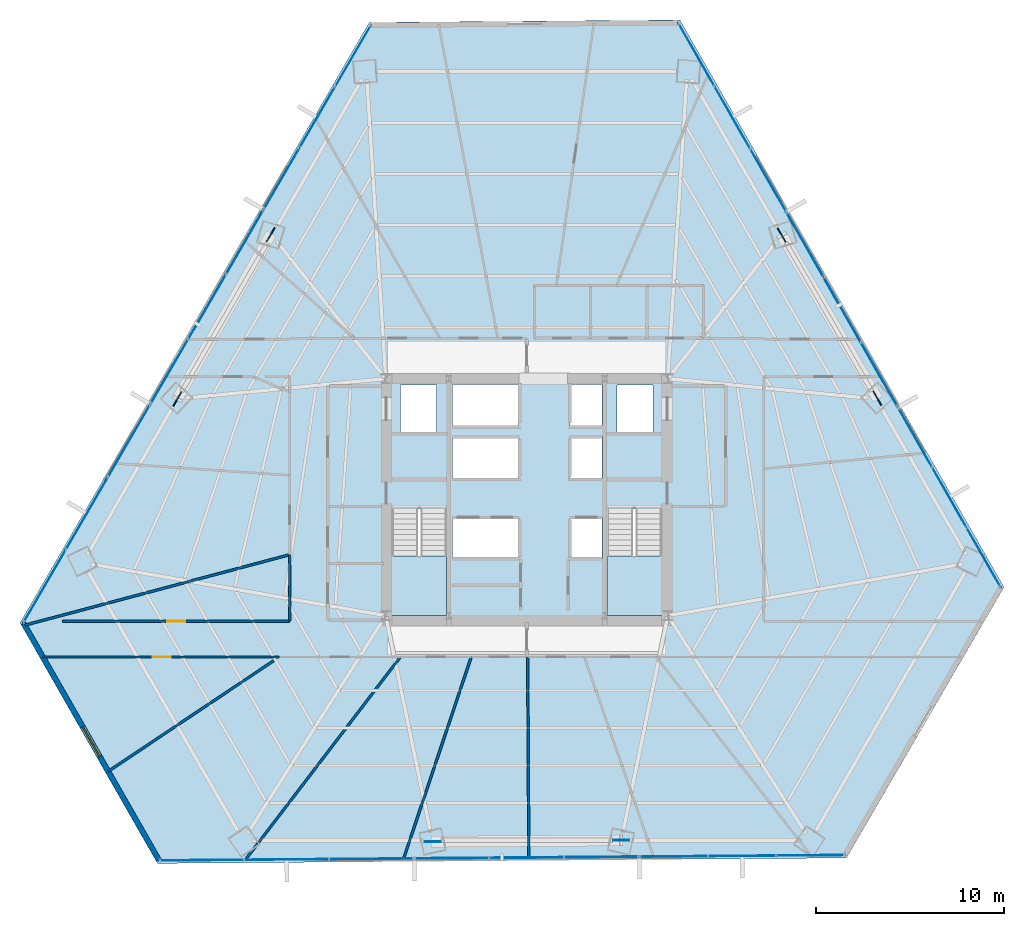
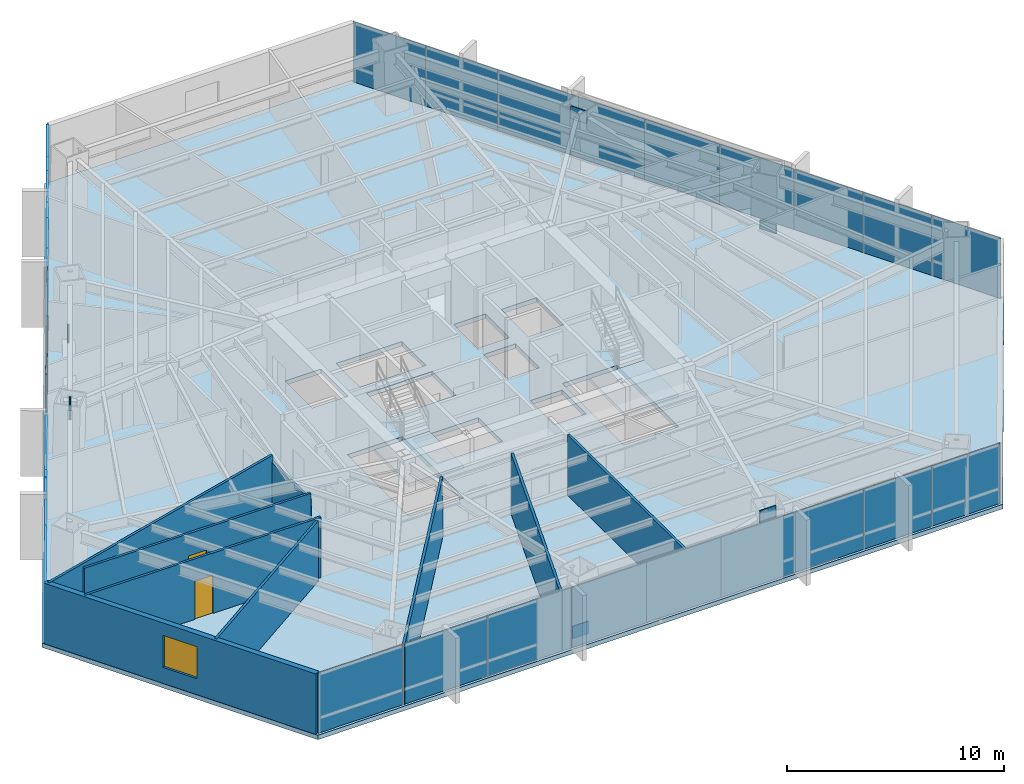
# One storey, part 28 of 34: 33 plates, 9 walls, 3 slabs, 2 doors, 1 window, 3 openings, 11 elements without a shape of their own.
"""IFC4 building model written with IfcOpenShell, lengths in metres."""

from ifc_helpers import new_model, si_unit, direction, frame, frame_2d, origin, origin_2d, place, context, subcontext, project, spatial, polyline, rectangle, outline, extrude, source, transform, mapped, material, layer, layer_set, type_object, type_shapes, element, fill, aggregate, save


model = new_model("IFC4")

# Units and contexts
model_context = context("Model", 3, precision=1e-05, world=origin(), true_north=direction((0.0, 1.0)))
body_context = subcontext(model_context, "Body", "Model", "MODEL_VIEW")
ifc_project = project(units=[si_unit("LENGTHUNIT", "METRE"), si_unit("AREAUNIT", "SQUARE_METRE"), si_unit("VOLUMEUNIT", "CUBIC_METRE"), si_unit("PLANEANGLEUNIT", "RADIAN"), si_unit("MASSUNIT", "GRAM", prefix="KILO")], contexts=[model_context])

# Site, building, storey
site_placement = place(None, origin())
site = spatial("IfcSite", under=ifc_project, at=site_placement, CompositionType="ELEMENT")
building_placement = place(site_placement, origin())
building = spatial("IfcBuilding", under=site, at=building_placement, Name="Caelisora Broadcast Tower", CompositionType="ELEMENT")
storey_placement = place(building_placement, frame((0.0, 0.0, 56.800048828125)))
storey = spatial("IfcBuildingStorey", under=building, at=storey_placement, Name="L14", CompositionType="ELEMENT", Elevation=56.800048828125)

# Slab
ifc_material_1 = material(Name="Concrete 40 MPa (AS 3600 N40)", Category="concrete")
ifc_layer_1 = layer(ifc_material_1, 0.25, Name="Concrete 40 MPa (AS 3600 N40)")
ifc_layer_set_1 = layer_set([ifc_layer_1], Name="Concrete 40 MPa (AS 3600 N40)")
slab_type_1 = type_object("IfcSlabType", Name="SL04", PredefinedType="FLOOR", material=ifc_layer_set_1)
slab_1_placement = place(storey_placement, frame((0.0, 0.0, -0.25)))
element("IfcSlab", 1, at=slab_1_placement, inside=storey, type_object=slab_type_1, Name="L14 suspended floor SL04", PredefinedType="FLOOR", context=body_context, shape_type="SweptSolid", body=[
    extrude(outline(polyline([(46.14599609375, 49.069091796875), (29.626953125, 48.93798828125), (11.055908203125, 17.01806640625), (18.364013671875, 4.22509765625), (55.0029296875, 4.51611328125), (63.375, 18.906982421875), (46.14599609375, 49.069091796875)]), holes=[polyline([(30.820068359375, 17.39990234375), (33.739990234375, 17.39990234375), (33.739990234375, 23.080078125), (30.820068359375, 23.080078125), (30.820068359375, 17.39990234375)]), polyline([(42.260009765625, 17.39990234375), (45.179931640625, 17.39990234375), (45.179931640625, 23.080078125), (42.260009765625, 23.080078125), (42.260009765625, 17.39990234375)]), polyline([(42.800048828125, 27.14990234375), (44.699951171875, 27.14990234375), (44.699951171875, 29.64990234375), (42.800048828125, 29.64990234375), (42.800048828125, 27.14990234375)]), polyline([(40.300048828125, 20.429931640625), (42.0, 20.429931640625), (42.0, 22.6298828125), (40.300048828125, 22.6298828125), (40.300048828125, 20.429931640625)]), polyline([(40.300048828125, 24.719970703125), (42.0, 24.719970703125), (42.0, 26.919921875), (40.300048828125, 26.919921875), (40.300048828125, 24.719970703125)]), polyline([(40.300048828125, 27.5), (42.0, 27.5), (42.0, 29.699951171875), (40.300048828125, 29.699951171875), (40.300048828125, 27.5)]), polyline([(34.050048828125, 20.429931640625), (37.550048828125, 20.429931640625), (37.550048828125, 22.6298828125), (34.050048828125, 22.6298828125), (34.050048828125, 20.429931640625)]), polyline([(34.050048828125, 24.719970703125), (37.550048828125, 24.719970703125), (37.550048828125, 26.919921875), (34.050048828125, 26.919921875), (34.050048828125, 24.719970703125)]), polyline([(34.050048828125, 27.5), (37.550048828125, 27.5), (37.550048828125, 29.699951171875), (34.050048828125, 29.699951171875), (34.050048828125, 27.5)]), polyline([(31.300048828125, 27.14990234375), (33.199951171875, 27.14990234375), (33.199951171875, 29.64990234375), (31.300048828125, 29.64990234375), (31.300048828125, 27.14990234375)])]), origin(), (0.0, 0.0, 1.0), 0.25),
])

# Stair, slab
stair_type_1 = type_object("IfcStairType", Name="ST-1", PredefinedType="HALF_TURN_STAIR", material=ifc_material_1)
stair_1_placement = place(storey_placement, origin())
stair_1 = element("IfcStair", 2, at=stair_1_placement, inside=storey, type_object=stair_type_1, Name="L14 West Fire-Isolated Tower Stair", PredefinedType="HALF_TURN_STAIR")
ifc_layer_2 = layer(ifc_material_1, 0.199951171875, Name="Concrete 40 MPa (AS 3600 N40)")
ifc_layer_set_2 = layer_set([ifc_layer_2], Name="Concrete 40 MPa (AS 3600 N40)")
slab_type_2 = type_object("IfcSlabType", Name="STL-1", PredefinedType="LANDING", material=ifc_layer_set_2)
slab_2_placement = place(storey_placement, frame((0.0, 0.0, 1.625)))
slab_2 = element("IfcSlab", 3, at=slab_2_placement, type_object=slab_type_2, Name="ST-1 landing 1", PredefinedType="LANDING", context=body_context, shape_type="SweptSolid", body=[
    extrude(outline(polyline([(30.820068359375, 20.580078125), (30.820068359375, 17.39990234375), (33.739990234375, 17.39990234375), (33.739990234375, 20.580078125), (30.820068359375, 20.580078125)])), origin(), (0.0, 0.0, 1.0), 0.199951171875),
])
aggregate(stair_1, [slab_2])

stair_type_2 = type_object("IfcStairType", Name="ST-2", PredefinedType="HALF_TURN_STAIR", material=ifc_material_1)
stair_2_placement = place(storey_placement, origin())
stair_2 = element("IfcStair", 4, at=stair_2_placement, inside=storey, type_object=stair_type_2, Name="L14 East Fire-Isolated Tower Stair", PredefinedType="HALF_TURN_STAIR")
slab_3_placement = place(storey_placement, frame((0.0, 0.0, 1.625)))
slab_3 = element("IfcSlab", 5, at=slab_3_placement, type_object=slab_type_2, Name="ST-2 landing 1", PredefinedType="LANDING", context=body_context, shape_type="SweptSolid", body=[
    extrude(outline(polyline([(42.260009765625, 20.580078125), (42.260009765625, 17.39990234375), (45.179931640625, 17.39990234375), (45.179931640625, 20.580078125), (42.260009765625, 20.580078125)])), origin(), (0.0, 0.0, 1.0), 0.199951171875),
])
aggregate(stair_2, [slab_3])

# Plates
ifc_material_2 = material(Name="Steel Grade 350 L15 (AS/NZS 3678)", Category="steel")
ifc_layer_3 = layer(ifc_material_2, 0.050048828125, Name="Steel Grade 350 L15 (AS/NZS 3678)")
ifc_layer_set_3 = layer_set([ifc_layer_3], Name="Steel Grade 350 L15 (AS/NZS 3678)")
plate_type_1 = type_object("IfcPlateType", Name="GP03", PredefinedType="USERDEFINED", material=ifc_layer_set_3)
shared_shape_1 = source(origin(), body_context, "Body", "SweptSolid", [
    extrude(rectangle(XDim=0.85009765625, YDim=0.050048828125, at=origin_2d()), origin(), (0.0, 0.0, 1.0), 0.699951171875),
])
type_shapes(plate_type_1, [shared_shape_1])
for number, where, z_axis, x_axis, name in (
    (6, (24.37744140625, 37.648193359375, -0.22998046875), (0.0, 0.0, 1.0), (-0.5, -0.866025403784, 0.0), "L14 gusset plate GP03 (ND-L14-C02B)"),
    (7, (19.42333984375, 28.9228515625, 2.72998046875), (0.0, 0.0, 1.0), (-0.5, -0.866025403784, 0.0), "L14 gusset plate GP03 (ND-L14-C03T)"),
    (8, (32.991455078125, 5.37841796875, -0.22998046875), (0.0, 0.0, 1.0), (1.0, 0.0, 0.0), "L14 gusset plate GP03 (ND-L14-C06B)"),
    (9, (43.02490234375, 5.45068359375, 2.72998046875), (0.0, 0.0, 1.0), (1.0, 0.0, 0.0), "L14 gusset plate GP03 (ND-L14-C07T)"),
    (10, (56.631103515625, 28.973388671875, -0.22998046875), (0.0, 0.0, 1.0), (-0.5, 0.866025403784, 0.0), "L14 gusset plate GP03 (ND-L14-C10B)"),
    (11, (51.5517578125, 37.62646484375, 2.72998046875), (0.0, 0.0, 1.0), (-0.5, 0.866025403784, 0.0), "L14 gusset plate GP03 (ND-L14-C11T)"),
):
    element("IfcPlate", number, at=place(storey_placement, frame(where, z_axis=z_axis, x_axis=x_axis)), inside=storey, type_object=plate_type_1, Name=name, ObjectType="GUSSET PLATE", PredefinedType="USERDEFINED", context=body_context, shape_type="MappedRepresentation", body=[
        mapped(shared_shape_1, transform((0.0, 0.0, 0.0), scale=1.0)),
    ])

# Curtain wall, plates
ifc_material_3 = material(Name="Unitised Aluminium and Low-E Glass Curtain Wall", Category="glass")
curtain_wall_type_1 = type_object("IfcCurtainWallType", Name="CW-Z1", PredefinedType="NOTDEFINED", material=ifc_material_3)
curtain_wall_1_placement = place(storey_placement, origin())
curtain_wall_1 = element("IfcCurtainWall", 12, at=curtain_wall_1_placement, inside=storey, type_object=curtain_wall_type_1, Name="L14 curtain wall CW-Z1", PredefinedType="NOTDEFINED")
ifc_material_4 = material(Name="Double Glazed Low-E Argon IGU", Category="glass")
ifc_layer_4 = layer(ifc_material_4, 0.035888671875, Name="Double Glazed Low-E Argon IGU")
ifc_layer_set_4 = layer_set([ifc_layer_4], Name="Double Glazed Low-E Argon IGU")
plate_type_2 = type_object("IfcPlateType", Name="CWP-02", PredefinedType="CURTAIN_PANEL", material=ifc_layer_set_4)
shared_shape_2 = source(origin(), body_context, "Body", "SweptSolid", [
    extrude(rectangle(XDim=3.85498046875, YDim=0.035888671875, at=origin_2d()), origin(), (0.0, 0.0, 1.0), 3.39990234375),
])
plate_1_placement = place(storey_placement, frame((47.01513671875, 47.244384765625, 0.0), z_axis=(0.0, 0.0, 1.0), x_axis=(0.496064966839, -0.868285407383, 0.0)))
plate_1 = element("IfcPlate", 13, at=plate_1_placement, type_object=plate_type_2, Name="L14-CW-B01 glazed panel #1", PredefinedType="CURTAIN_PANEL", context=body_context, shape_type="MappedRepresentation", body=[
    mapped(shared_shape_2, transform((0.0, 0.0, 0.0), scale=1.0)),
])
plate_2_placement = place(storey_placement, frame((48.92724609375, 43.89697265625, 0.0), z_axis=(0.0, 0.0, 1.0), x_axis=(0.496064966839, -0.868285407383, 0.0)))
plate_2 = element("IfcPlate", 14, at=plate_2_placement, type_object=plate_type_2, Name="L14-CW-B01 glazed panel #2", PredefinedType="CURTAIN_PANEL", context=body_context, shape_type="MappedRepresentation", body=[
    mapped(shared_shape_2, transform((0.0, 0.0, 0.0), scale=1.0)),
])
plate_3_placement = place(storey_placement, frame((50.839599609375, 40.549560546875, 0.0), z_axis=(0.0, 0.0, 1.0), x_axis=(0.496064966839, -0.868285407383, 0.0)))
plate_3 = element("IfcPlate", 15, at=plate_3_placement, type_object=plate_type_2, Name="L14-CW-B01 glazed panel #3", PredefinedType="CURTAIN_PANEL", context=body_context, shape_type="MappedRepresentation", body=[
    mapped(shared_shape_2, transform((0.0, 0.0, 0.0), scale=1.0)),
])
aggregate(curtain_wall_1, [plate_1, plate_2, plate_3])

ifc_material_5 = material(Name="Unitised Aluminium Insulated Shadow-Box Spandrel Curtain Wall", Category="aluminium")
curtain_wall_type_2 = type_object("IfcCurtainWallType", Name="CW-SP1", PredefinedType="NOTDEFINED", material=ifc_material_5)
curtain_wall_2_placement = place(storey_placement, origin())
curtain_wall_2 = element("IfcCurtainWall", 16, at=curtain_wall_2_placement, inside=storey, type_object=curtain_wall_type_2, Name="L14 curtain wall CW-SP1", PredefinedType="NOTDEFINED")
ifc_material_6 = material(Name="Insulated Terracotta Shadow-Box Spandrel Panel", Category="aluminium")
ifc_layer_5 = layer(ifc_material_6, 0.0439453125, Name="Insulated Terracotta Shadow-Box Spandrel Panel")
ifc_layer_set_5 = layer_set([ifc_layer_5], Name="Insulated Terracotta Shadow-Box Spandrel Panel")
plate_type_3 = type_object("IfcPlateType", Name="CWP-10", PredefinedType="CURTAIN_PANEL", material=ifc_layer_set_5)
shared_shape_3 = source(origin(), body_context, "Body", "SweptSolid", [
    extrude(rectangle(XDim=3.985595703125, YDim=0.0439453125, at=origin_2d()), origin(), (0.0, 0.0, 1.0), 3.39990234375),
])
type_shapes(plate_type_3, [shared_shape_3])
plate_4_placement = place(storey_placement, frame((52.7890625, 37.13671875, 0.0), z_axis=(0.0, 0.0, 1.0), x_axis=(0.496064966839, -0.868285407383, 0.0)))
plate_4 = element("IfcPlate", 17, at=plate_4_placement, type_object=plate_type_3, Name="L14-CW-B02 spandrel panel #1", PredefinedType="CURTAIN_PANEL", context=body_context, shape_type="MappedRepresentation", body=[
    mapped(shared_shape_3, transform((0.0, 0.0, 0.0), scale=1.0)),
])
plate_5_placement = place(storey_placement, frame((54.765869140625, 33.67578125, 0.0), z_axis=(0.0, 0.0, 1.0), x_axis=(0.496064966839, -0.868285407383, 0.0)))
plate_5 = element("IfcPlate", 18, at=plate_5_placement, type_object=plate_type_3, Name="L14-CW-B02 spandrel panel #2", PredefinedType="CURTAIN_PANEL", context=body_context, shape_type="MappedRepresentation", body=[
    mapped(shared_shape_3, transform((0.0, 0.0, 0.0), scale=1.0)),
])
plate_6_placement = place(storey_placement, frame((56.742919921875, 30.215087890625, 0.0), z_axis=(0.0, 0.0, 1.0), x_axis=(0.496064966839, -0.868285407383, 0.0)))
plate_6 = element("IfcPlate", 19, at=plate_6_placement, type_object=plate_type_3, Name="L14-CW-B02 spandrel panel #3", PredefinedType="CURTAIN_PANEL", context=body_context, shape_type="MappedRepresentation", body=[
    mapped(shared_shape_3, transform((0.0, 0.0, 0.0), scale=1.0)),
])
aggregate(curtain_wall_2, [plate_4, plate_5, plate_6])

curtain_wall_3_placement = place(storey_placement, origin())
curtain_wall_3 = element("IfcCurtainWall", 20, at=curtain_wall_3_placement, inside=storey, type_object=curtain_wall_type_2, Name="L14 curtain wall CW-SP1", PredefinedType="NOTDEFINED")
plate_7_placement = place(storey_placement, frame((41.9921875, 4.5625, 0.0), z_axis=(0.0, 0.0, 1.0), x_axis=(-0.999969157645, -0.007853900889, 0.0)))
plate_7 = element("IfcPlate", 21, at=plate_7_placement, type_object=plate_type_3, Name="L14-CW-B06 spandrel panel #1", PredefinedType="CURTAIN_PANEL", context=body_context, shape_type="MappedRepresentation", body=[
    mapped(shared_shape_3, transform((0.0, 0.0, 0.0), scale=1.0)),
])
plate_8_placement = place(storey_placement, frame((38.006591796875, 4.531005859375, 0.0), z_axis=(0.0, 0.0, 1.0), x_axis=(-0.999969157645, -0.007853900889, 0.0)))
plate_8 = element("IfcPlate", 22, at=plate_8_placement, type_object=plate_type_3, Name="L14-CW-B06 spandrel panel #2", PredefinedType="CURTAIN_PANEL", context=body_context, shape_type="MappedRepresentation", body=[
    mapped(shared_shape_3, transform((0.0, 0.0, 0.0), scale=1.0)),
])
plate_9_placement = place(storey_placement, frame((34.021240234375, 4.49951171875, 0.0), z_axis=(0.0, 0.0, 1.0), x_axis=(-0.999969157645, -0.007853900889, 0.0)))
plate_9 = element("IfcPlate", 23, at=plate_9_placement, type_object=plate_type_3, Name="L14-CW-B06 spandrel panel #3", PredefinedType="CURTAIN_PANEL", context=body_context, shape_type="MappedRepresentation", body=[
    mapped(shared_shape_3, transform((0.0, 0.0, 0.0), scale=1.0)),
])
aggregate(curtain_wall_3, [plate_7, plate_8, plate_9])

curtain_wall_4_placement = place(storey_placement, origin())
curtain_wall_4 = element("IfcCurtainWall", 24, at=curtain_wall_4_placement, inside=storey, type_object=curtain_wall_type_2, Name="L14 curtain wall CW-SP1", PredefinedType="NOTDEFINED")
plate_10_placement = place(storey_placement, frame((18.998779296875, 30.371826171875, 0.0), z_axis=(0.0, 0.0, 1.0), x_axis=(0.50286909456, 0.864362582332, 0.0)))
plate_10 = element("IfcPlate", 25, at=plate_10_placement, type_object=plate_type_3, Name="L14-CW-B10 spandrel panel #1", PredefinedType="CURTAIN_PANEL", context=body_context, shape_type="MappedRepresentation", body=[
    mapped(shared_shape_3, transform((0.0, 0.0, 0.0), scale=1.0)),
])
plate_11_placement = place(storey_placement, frame((21.003173828125, 33.81689453125, 0.0), z_axis=(0.0, 0.0, 1.0), x_axis=(0.50286909456, 0.864362582332, 0.0)))
plate_11 = element("IfcPlate", 26, at=plate_11_placement, type_object=plate_type_3, Name="L14-CW-B10 spandrel panel #2", PredefinedType="CURTAIN_PANEL", context=body_context, shape_type="MappedRepresentation", body=[
    mapped(shared_shape_3, transform((0.0, 0.0, 0.0), scale=1.0)),
])
plate_12_placement = place(storey_placement, frame((23.007568359375, 37.261962890625, 0.0), z_axis=(0.0, 0.0, 1.0), x_axis=(0.50286909456, 0.864362582332, 0.0)))
plate_12 = element("IfcPlate", 27, at=plate_12_placement, type_object=plate_type_3, Name="L14-CW-B10 spandrel panel #3", PredefinedType="CURTAIN_PANEL", context=body_context, shape_type="MappedRepresentation", body=[
    mapped(shared_shape_3, transform((0.0, 0.0, 0.0), scale=1.0)),
])
aggregate(curtain_wall_4, [plate_10, plate_11, plate_12])

curtain_wall_5_placement = place(storey_placement, origin())
curtain_wall_5 = element("IfcCurtainWall", 28, at=curtain_wall_5_placement, inside=storey, type_object=curtain_wall_type_1, Name="L14 curtain wall CW-Z1", PredefinedType="NOTDEFINED")
shared_shape_4 = source(origin(), body_context, "Body", "SweptSolid", [
    extrude(rectangle(XDim=3.673095703125, YDim=0.035888671875, at=origin_2d()), origin(), (0.0, 0.0, 1.0), 3.39990234375),
])
plate_13_placement = place(storey_placement, frame((58.647216796875, 26.88134765625, 0.0), z_axis=(0.0, 0.0, 1.0), x_axis=(0.496064966839, -0.868285407383, 0.0)))
plate_13 = element("IfcPlate", 29, at=plate_13_placement, type_object=plate_type_2, Name="L14-CW-B03 glazed panel #1", PredefinedType="CURTAIN_PANEL", context=body_context, shape_type="MappedRepresentation", body=[
    mapped(shared_shape_4, transform((0.0, 0.0, 0.0), scale=1.0)),
])
plate_14_placement = place(storey_placement, frame((60.46923828125, 23.69189453125, 0.0), z_axis=(0.0, 0.0, 1.0), x_axis=(0.496064966839, -0.868285407383, 0.0)))
plate_14 = element("IfcPlate", 30, at=plate_14_placement, type_object=plate_type_2, Name="L14-CW-B03 glazed panel #2", PredefinedType="CURTAIN_PANEL", context=body_context, shape_type="MappedRepresentation", body=[
    mapped(shared_shape_4, transform((0.0, 0.0, 0.0), scale=1.0)),
])
plate_15_placement = place(storey_placement, frame((62.291015625, 20.502685546875, 0.0), z_axis=(0.0, 0.0, 1.0), x_axis=(0.496064966839, -0.868285407383, 0.0)))
plate_15 = element("IfcPlate", 31, at=plate_15_placement, type_object=plate_type_2, Name="L14-CW-B03 glazed panel #3", PredefinedType="CURTAIN_PANEL", context=body_context, shape_type="MappedRepresentation", body=[
    mapped(shared_shape_4, transform((0.0, 0.0, 0.0), scale=1.0)),
])
aggregate(curtain_wall_5, [plate_13, plate_14, plate_15])

curtain_wall_6_placement = place(storey_placement, origin())
curtain_wall_6 = element("IfcCurtainWall", 32, at=curtain_wall_6_placement, inside=storey, type_object=curtain_wall_type_1, Name="L14 curtain wall CW-Z1", PredefinedType="NOTDEFINED")
shared_shape_5 = source(origin(), body_context, "Body", "SweptSolid", [
    extrude(rectangle(XDim=3.640380859375, YDim=0.035888671875, at=origin_2d()), origin(), (0.0, 0.0, 1.0), 3.39990234375),
])
plate_16_placement = place(storey_placement, frame((53.095703125, 4.650634765625, 0.0), z_axis=(0.0, 0.0, 1.0), x_axis=(-0.999969157645, -0.007853900889, 0.0)))
plate_16 = element("IfcPlate", 33, at=plate_16_placement, type_object=plate_type_2, Name="L14-CW-B05 glazed panel #1", PredefinedType="CURTAIN_PANEL", context=body_context, shape_type="MappedRepresentation", body=[
    mapped(shared_shape_5, transform((0.0, 0.0, 0.0), scale=1.0)),
])
plate_17_placement = place(storey_placement, frame((49.455322265625, 4.62158203125, 0.0), z_axis=(0.0, 0.0, 1.0), x_axis=(-0.999969157645, -0.007853900889, 0.0)))
plate_17 = element("IfcPlate", 34, at=plate_17_placement, type_object=plate_type_2, Name="L14-CW-B05 glazed panel #2", PredefinedType="CURTAIN_PANEL", context=body_context, shape_type="MappedRepresentation", body=[
    mapped(shared_shape_5, transform((0.0, 0.0, 0.0), scale=1.0)),
])
plate_18_placement = place(storey_placement, frame((45.815185546875, 4.593017578125, 0.0), z_axis=(0.0, 0.0, 1.0), x_axis=(-0.999969157645, -0.007853900889, 0.0)))
plate_18 = element("IfcPlate", 35, at=plate_18_placement, type_object=plate_type_2, Name="L14-CW-B05 glazed panel #3", PredefinedType="CURTAIN_PANEL", context=body_context, shape_type="MappedRepresentation", body=[
    mapped(shared_shape_5, transform((0.0, 0.0, 0.0), scale=1.0)),
])
aggregate(curtain_wall_6, [plate_16, plate_17, plate_18])

curtain_wall_7_placement = place(storey_placement, origin())
curtain_wall_7 = element("IfcCurtainWall", 36, at=curtain_wall_7_placement, inside=storey, type_object=curtain_wall_type_1, Name="L14 curtain wall CW-Z1", PredefinedType="NOTDEFINED")
shared_shape_6 = source(origin(), body_context, "Body", "SweptSolid", [
    extrude(rectangle(XDim=4.522705078125, YDim=0.035888671875, at=origin_2d()), origin(), (0.0, 0.0, 1.0), 3.39990234375),
])
plate_19_placement = place(storey_placement, frame((29.75732421875, 4.465576171875, 0.0), z_axis=(0.0, 0.0, 1.0), x_axis=(-0.999969157645, -0.007853900889, 0.0)))
plate_19 = element("IfcPlate", 37, at=plate_19_placement, type_object=plate_type_2, Name="L14-CW-B07 glazed panel #1", PredefinedType="CURTAIN_PANEL", context=body_context, shape_type="MappedRepresentation", body=[
    mapped(shared_shape_6, transform((0.0, 0.0, 0.0), scale=1.0)),
])
plate_20_placement = place(storey_placement, frame((25.23486328125, 4.4296875, 0.0), z_axis=(0.0, 0.0, 1.0), x_axis=(-0.999969157645, -0.007853900889, 0.0)))
plate_20 = element("IfcPlate", 38, at=plate_20_placement, type_object=plate_type_2, Name="L14-CW-B07 glazed panel #2", PredefinedType="CURTAIN_PANEL", context=body_context, shape_type="MappedRepresentation", body=[
    mapped(shared_shape_6, transform((0.0, 0.0, 0.0), scale=1.0)),
])
plate_21_placement = place(storey_placement, frame((20.71240234375, 4.393798828125, 0.0), z_axis=(0.0, 0.0, 1.0), x_axis=(-0.999969157645, -0.007853900889, 0.0)))
plate_21 = element("IfcPlate", 39, at=plate_21_placement, type_object=plate_type_2, Name="L14-CW-B07 glazed panel #3", PredefinedType="CURTAIN_PANEL", context=body_context, shape_type="MappedRepresentation", body=[
    mapped(shared_shape_6, transform((0.0, 0.0, 0.0), scale=1.0)),
])
aggregate(curtain_wall_7, [plate_19, plate_20, plate_21])

curtain_wall_8_placement = place(storey_placement, origin())
curtain_wall_8 = element("IfcCurtainWall", 40, at=curtain_wall_8_placement, inside=storey, type_object=curtain_wall_type_1, Name="L14 curtain wall CW-Z1", PredefinedType="NOTDEFINED")
shared_shape_7 = source(origin(), body_context, "Body", "SweptSolid", [
    extrude(rectangle(XDim=4.482666015625, YDim=0.035888671875, at=origin_2d()), origin(), (0.0, 0.0, 1.0), 3.39990234375),
])
plate_22_placement = place(storey_placement, frame((12.356201171875, 18.954345703125, 0.0), z_axis=(0.0, 0.0, 1.0), x_axis=(0.50286909456, 0.864362582332, 0.0)))
plate_22 = element("IfcPlate", 41, at=plate_22_placement, type_object=plate_type_2, Name="L14-CW-B09 glazed panel #1", PredefinedType="CURTAIN_PANEL", context=body_context, shape_type="MappedRepresentation", body=[
    mapped(shared_shape_7, transform((0.0, 0.0, 0.0), scale=1.0)),
])
plate_23_placement = place(storey_placement, frame((14.6103515625, 22.828857421875, 0.0), z_axis=(0.0, 0.0, 1.0), x_axis=(0.50286909456, 0.864362582332, 0.0)))
plate_23 = element("IfcPlate", 42, at=plate_23_placement, type_object=plate_type_2, Name="L14-CW-B09 glazed panel #2", PredefinedType="CURTAIN_PANEL", context=body_context, shape_type="MappedRepresentation", body=[
    mapped(shared_shape_7, transform((0.0, 0.0, 0.0), scale=1.0)),
])
plate_24_placement = place(storey_placement, frame((16.864501953125, 26.70361328125, 0.0), z_axis=(0.0, 0.0, 1.0), x_axis=(0.50286909456, 0.864362582332, 0.0)))
plate_24 = element("IfcPlate", 43, at=plate_24_placement, type_object=plate_type_2, Name="L14-CW-B09 glazed panel #3", PredefinedType="CURTAIN_PANEL", context=body_context, shape_type="MappedRepresentation", body=[
    mapped(shared_shape_7, transform((0.0, 0.0, 0.0), scale=1.0)),
])
aggregate(curtain_wall_8, [plate_22, plate_23, plate_24])

curtain_wall_9_placement = place(storey_placement, origin())
curtain_wall_9 = element("IfcCurtainWall", 44, at=curtain_wall_9_placement, inside=storey, type_object=curtain_wall_type_1, Name="L14 curtain wall CW-Z1", PredefinedType="NOTDEFINED")
shared_shape_8 = source(origin(), body_context, "Body", "SweptSolid", [
    extrude(rectangle(XDim=3.777587890625, YDim=0.035888671875, at=origin_2d()), origin(), (0.0, 0.0, 1.0), 3.39990234375),
])
type_shapes(plate_type_2, [shared_shape_2, shared_shape_4, shared_shape_5, shared_shape_6, shared_shape_7, shared_shape_8])
plate_25_placement = place(storey_placement, frame((24.964599609375, 40.625732421875, 0.0), z_axis=(0.0, 0.0, 1.0), x_axis=(0.50286909456, 0.864362582332, 0.0)))
plate_25 = element("IfcPlate", 45, at=plate_25_placement, type_object=plate_type_2, Name="L14-CW-B11 glazed panel #1", PredefinedType="CURTAIN_PANEL", context=body_context, shape_type="MappedRepresentation", body=[
    mapped(shared_shape_8, transform((0.0, 0.0, 0.0), scale=1.0)),
])
plate_26_placement = place(storey_placement, frame((26.864501953125, 43.89111328125, 0.0), z_axis=(0.0, 0.0, 1.0), x_axis=(0.50286909456, 0.864362582332, 0.0)))
plate_26 = element("IfcPlate", 46, at=plate_26_placement, type_object=plate_type_2, Name="L14-CW-B11 glazed panel #2", PredefinedType="CURTAIN_PANEL", context=body_context, shape_type="MappedRepresentation", body=[
    mapped(shared_shape_8, transform((0.0, 0.0, 0.0), scale=1.0)),
])
plate_27_placement = place(storey_placement, frame((28.76416015625, 47.156494140625, 0.0), z_axis=(0.0, 0.0, 1.0), x_axis=(0.50286909456, 0.864362582332, 0.0)))
plate_27 = element("IfcPlate", 47, at=plate_27_placement, type_object=plate_type_2, Name="L14-CW-B11 glazed panel #3", PredefinedType="CURTAIN_PANEL", context=body_context, shape_type="MappedRepresentation", body=[
    mapped(shared_shape_8, transform((0.0, 0.0, 0.0), scale=1.0)),
])
aggregate(curtain_wall_9, [plate_25, plate_26, plate_27])

# Wall, opening, window
ifc_material_7 = material(Name="Insulated Terracotta Spandrel Wall System", Category="masonry")
ifc_layer_6 = layer(ifc_material_7, 0.280029296875, Name="Insulated Terracotta Spandrel Wall System")
ifc_layer_set_6 = layer_set([ifc_layer_6], Name="Insulated Terracotta Spandrel Wall System")
wall_type_1 = type_object("IfcWallType", Name="EW1", PredefinedType="STANDARD", material=ifc_layer_set_6)
wall_1_placement = place(storey_placement, frame((18.43603515625, 4.402099609375, 0.0), z_axis=(0.0, 0.0, 1.0), x_axis=(-0.496060958698, 0.868287697284, 0.0)))
wall_1 = element("IfcWall", 48, at=wall_1_placement, inside=storey, type_object=wall_type_1, Name="L14 exterior envelope wall EW1", PredefinedType="STANDARD", context=body_context, shape_type="SweptSolid", body=[
    extrude(rectangle(XDim=14.49853515625, YDim=0.280029296875, at=frame_2d((7.249267578125, 0.0))), origin(), (0.0, 0.0, 1.0), 3.39990234375),
])
opening_1_placement = place(wall_1_placement, frame((6.35009765625, 0.0, 0.89990234375)))
opening_1 = element("IfcOpeningElement", 49, at=opening_1_placement, cuts=wall_1, Name="Opening W01", PredefinedType="OPENING", context=body_context, shape_type="SweptSolid", body=[
    extrude(rectangle(XDim=1.800048828125, YDim=1.800048828125, at=frame_2d((0.89990234375, 0.89990234375))), frame((0.0, 0.152099609375, 0.0), z_axis=(0.0, -1.0, 0.0), x_axis=(1.0, 0.0, 0.0)), (0.0, 0.0, 1.0), 0.303955078125),
])
ifc_material_8 = material(Name="Double Glazed Terracotta-Framed Vision Window", Category="glass")
window_type = type_object("IfcWindowType", Name="W01", PartitioningType="SINGLE_PANEL", PredefinedType="WINDOW", material=ifc_material_8)
window_placement = place(opening_1_placement, origin())
window = element("IfcWindow", 50, at=window_placement, inside=storey, type_object=window_type, Name="L14 window W01 (L14-WN-CH4)", OverallHeight=1.800048828125, OverallWidth=1.800048828125, PartitioningType="SINGLE_PANEL", PredefinedType="WINDOW", context=body_context, shape_type="SweptSolid", body=[
    extrude(rectangle(XDim=1.800048828125, YDim=1.800048828125, at=frame_2d((0.89990234375, 0.89990234375))), frame((0.0, 0.030029296875, 0.0), z_axis=(0.0, -1.0, 0.0), x_axis=(1.0, 0.0, 0.0)), (0.0, 0.0, 1.0), 0.06005859375),
])
fill(opening_1, window)

# Walls
ifc_material_9 = material(Name="Acoustic Steel-Stud Plasterboard Partition", Category="gypsum")
ifc_layer_7 = layer(ifc_material_9, 0.1298828125, Name="Acoustic Steel-Stud Plasterboard Partition")
ifc_layer_set_7 = layer_set([ifc_layer_7], Name="Acoustic Steel-Stud Plasterboard Partition")
wall_type_2 = type_object("IfcWallType", Name="PW3", PredefinedType="PARTITIONING", material=ifc_layer_set_7)
wall_2_placement = place(storey_placement, frame((11.322509765625, 16.892578125, 0.0), z_axis=(0.0, 0.0, 1.0), x_axis=(0.966343095492, 0.257256723518, 0.0)))
element("IfcWall", 51, at=wall_2_placement, inside=storey, type_object=wall_type_2, Name="L14 internal partition PW3", PredefinedType="PARTITIONING", context=body_context, shape_type="SweptSolid", body=[
    extrude(rectangle(XDim=14.562744140625, YDim=0.1298828125, at=frame_2d((7.28125, 0.0))), origin(), (0.0, 0.0, 1.0), 3.39990234375),
])
wall_3_placement = place(storey_placement, frame((23.0341796875, 4.406982421875, 0.0), z_axis=(0.0, 0.0, 1.0), x_axis=(0.607099650407, 0.794625707158, 0.0)))
element("IfcWall", 52, at=wall_3_placement, inside=storey, type_object=wall_type_2, Name="L14 internal partition PW3", PredefinedType="PARTITIONING", context=body_context, shape_type="SweptSolid", body=[
    extrude(rectangle(XDim=13.57763671875, YDim=0.1298828125, at=frame_2d((6.788818359375, 0.0))), origin(), (0.0, 0.0, 1.0), 3.39990234375),
])

# Wall, opening, door
wall_4_placement = place(storey_placement, frame((13.318115234375, 17.10009765625, 0.0), z_axis=(0.0, 0.0, 1.0), x_axis=(1.0, 0.0, 0.0)))
wall_4 = element("IfcWall", 53, at=wall_4_placement, inside=storey, type_object=wall_type_2, Name="L14 internal partition PW3", PredefinedType="PARTITIONING", context=body_context, shape_type="SweptSolid", body=[
    extrude(rectangle(XDim=12.076904296875, YDim=0.1298828125, at=frame_2d((6.03857421875, 0.0))), origin(), (0.0, 0.0, 1.0), 3.39990234375),
])
opening_2_placement = place(wall_4_placement, frame((5.55908203125, 0.0, 0.0)))
opening_2 = element("IfcOpeningElement", 54, at=opening_2_placement, cuts=wall_4, Name="Opening D01", PredefinedType="OPENING", context=body_context, shape_type="SweptSolid", body=[
    extrude(rectangle(XDim=0.9599609375, YDim=2.14990234375, at=frame_2d((0.47998046875, 1.074951171875))), frame((0.0, 0.076904296875, 0.0), z_axis=(0.0, -1.0, 0.0), x_axis=(1.0, 0.0, 0.0)), (0.0, 0.0, 1.0), 0.15380859375),
])
ifc_material_10 = material(Name="Solid-Core Timber Acoustic Office Door", Category="wood")
door_type = type_object("IfcDoorType", Name="D01", OperationType="NOTDEFINED", PredefinedType="DOOR", material=ifc_material_10)
door_1_placement = place(opening_2_placement, origin())
door_1 = element("IfcDoor", 55, at=door_1_placement, inside=storey, type_object=door_type, Name="L14 door D01 (L14-DR-P36D1)", OperationType="SINGLE_SWING_RIGHT", OverallHeight=2.14990234375, OverallWidth=0.9599609375, PredefinedType="DOOR", context=body_context, shape_type="SweptSolid", body=[
    extrude(rectangle(XDim=0.9599609375, YDim=2.14990234375, at=frame_2d((0.47998046875, 1.074951171875))), frame((0.0, 0.02490234375, 0.0), z_axis=(0.0, -1.0, 0.0), x_axis=(1.0, 0.0, 0.0)), (0.0, 0.0, 1.0), 0.050048828125),
])
fill(opening_2, door_1)

wall_5_placement = place(storey_placement, frame((12.261474609375, 15.199951171875, 0.0), z_axis=(0.0, 0.0, 1.0), x_axis=(1.0, 0.0, 0.0)))
wall_5 = element("IfcWall", 56, at=wall_5_placement, inside=storey, type_object=wall_type_2, Name="L14 internal partition PW3", PredefinedType="PARTITIONING", context=body_context, shape_type="SweptSolid", body=[
    extrude(rectangle(XDim=12.573486328125, YDim=0.1298828125, at=frame_2d((6.28662109375, 0.0))), origin(), (0.0, 0.0, 1.0), 3.39990234375),
])
opening_3_placement = place(wall_5_placement, frame((5.863037109375, 0.0, 0.0)))
opening_3 = element("IfcOpeningElement", 57, at=opening_3_placement, cuts=wall_5, Name="Opening D01", PredefinedType="OPENING", context=body_context, shape_type="SweptSolid", body=[
    extrude(rectangle(XDim=0.9599609375, YDim=2.14990234375, at=frame_2d((0.47998046875, 1.074951171875))), frame((0.0, 0.076904296875, 0.0), z_axis=(0.0, -1.0, 0.0), x_axis=(1.0, 0.0, 0.0)), (0.0, 0.0, 1.0), 0.15380859375),
])
door_2_placement = place(opening_3_placement, origin())
door_2 = element("IfcDoor", 58, at=door_2_placement, inside=storey, type_object=door_type, Name="L14 door D01 (L14-DR-P37D1)", OperationType="SINGLE_SWING_LEFT", OverallHeight=2.14990234375, OverallWidth=0.9599609375, PredefinedType="DOOR", context=body_context, shape_type="SweptSolid", body=[
    extrude(rectangle(XDim=0.9599609375, YDim=2.14990234375, at=frame_2d((0.47998046875, 1.074951171875))), frame((0.0, 0.02490234375, 0.0), z_axis=(0.0, -1.0, 0.0), x_axis=(1.0, 0.0, 0.0)), (0.0, 0.0, 1.0), 0.050048828125),
])
fill(opening_3, door_2)

# Walls
wall_6_placement = place(storey_placement, frame((31.451416015625, 4.47412109375, 0.0), z_axis=(0.0, 0.0, 1.0), x_axis=(0.31806014524, 0.948070537465, 0.0)))
element("IfcWall", 59, at=wall_6_placement, inside=storey, type_object=wall_type_2, Name="L14 internal partition PW3", PredefinedType="PARTITIONING", context=body_context, shape_type="SweptSolid", body=[
    extrude(rectangle(XDim=11.30810546875, YDim=0.1298828125, at=frame_2d((5.654052734375, 0.0))), origin(), (0.0, 0.0, 1.0), 3.39990234375),
])
wall_7_placement = place(storey_placement, frame((15.739013671875, 9.11279296875, 0.0), z_axis=(0.0, 0.0, 1.0), x_axis=(0.831238586049, 0.555915832715, 0.0)))
element("IfcWall", 60, at=wall_7_placement, inside=storey, type_object=wall_type_2, Name="L14 internal partition PW3", PredefinedType="PARTITIONING", context=body_context, shape_type="SweptSolid", body=[
    extrude(rectangle(XDim=10.608154296875, YDim=0.1298828125, at=frame_2d((5.30419921875, 0.0))), origin(), (0.0, 0.0, 1.0), 3.39990234375),
])
wall_8_placement = place(storey_placement, frame((38.050048828125, 15.195068359375, 0.0), z_axis=(0.0, 0.0, 1.0), x_axis=(0.005583820311, -0.999984410354, 0.0)))
element("IfcWall", 61, at=wall_8_placement, inside=storey, type_object=wall_type_2, Name="L14 internal partition PW3", PredefinedType="PARTITIONING", context=body_context, shape_type="SweptSolid", body=[
    extrude(rectangle(XDim=10.66845703125, YDim=0.1298828125, at=frame_2d((5.334228515625, 0.0))), origin(), (0.0, 0.0, 1.0), 3.39990234375),
])
wall_9_placement = place(storey_placement, frame((25.39990234375, 17.10498046875, 0.0), z_axis=(0.0, 0.0, 1.0), x_axis=(0.0, 1.0, 0.0)))
element("IfcWall", 62, at=wall_9_placement, inside=storey, type_object=wall_type_2, Name="L14 internal partition PW3", PredefinedType="PARTITIONING", context=body_context, shape_type="SweptSolid", body=[
    extrude(rectangle(XDim=3.530029296875, YDim=0.1298828125, at=frame_2d((1.76513671875, 0.0))), origin(), (0.0, 0.0, 1.0), 3.0263671875),
])

save(model, "model.ifc")
